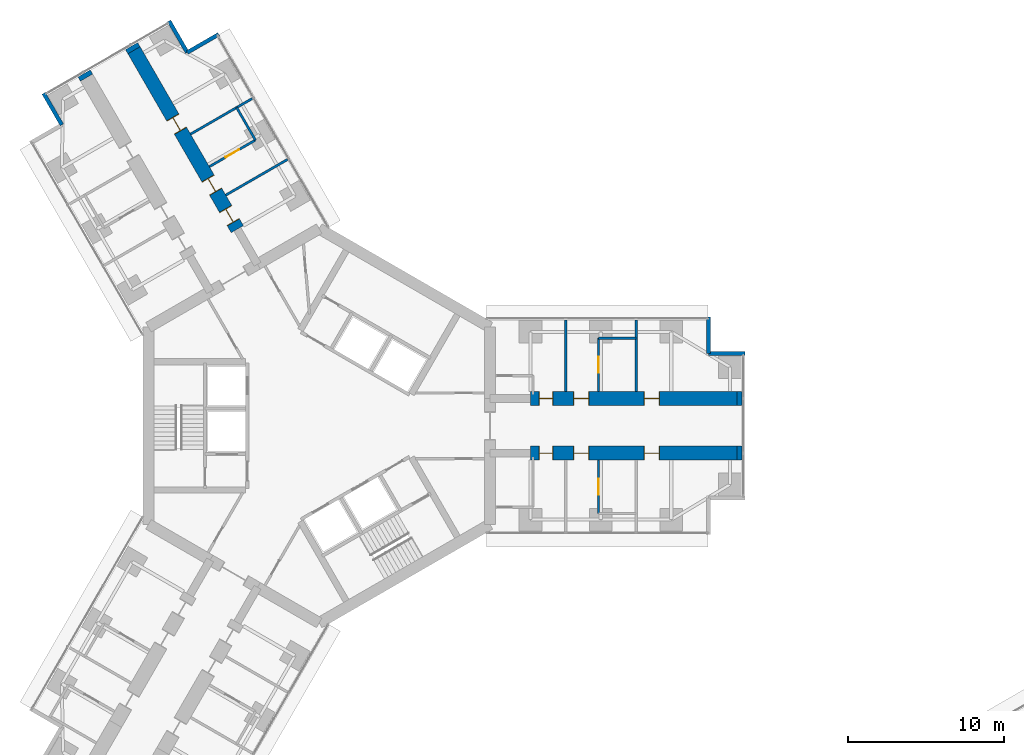
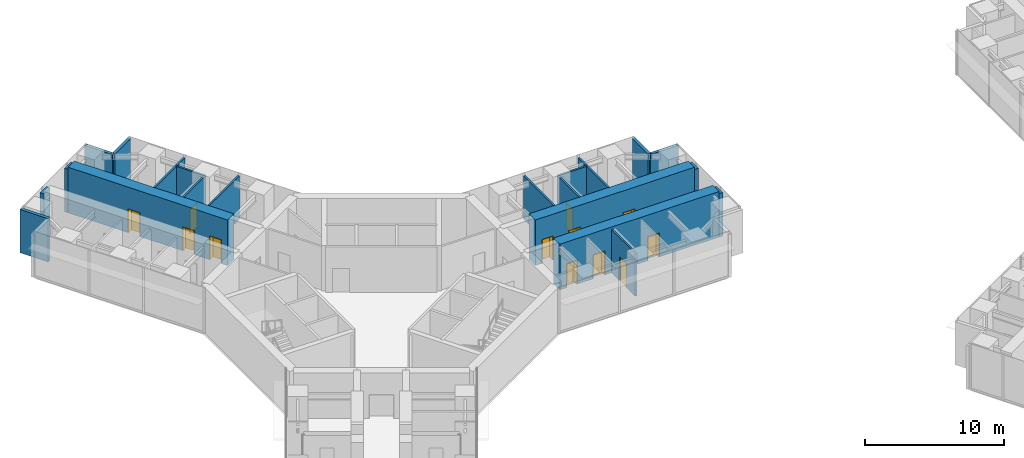
# One storey, part 19 of 24: 21 walls, 12 doors, 12 openings.
"""IFC4 building model written with IfcOpenShell, lengths in metres."""

from ifc_helpers import new_model, si_unit, direction, frame, frame_2d, origin, place, context, subcontext, project, spatial, rectangle, extrude, material, layer, layer_set, type_object, element, fill, save


model = new_model("IFC4")

# Units and contexts
model_context = context("Model", 3, precision=1e-05, world=origin(), true_north=direction((0.0, 1.0)))
body_context = subcontext(model_context, "Body", "Model", "MODEL_VIEW")
ifc_project = project(units=[si_unit("LENGTHUNIT", "METRE"), si_unit("AREAUNIT", "SQUARE_METRE"), si_unit("VOLUMEUNIT", "CUBIC_METRE"), si_unit("PLANEANGLEUNIT", "RADIAN"), si_unit("MASSUNIT", "GRAM", prefix="KILO")], contexts=[model_context])

# Site, building, storey
site_placement = place(None, origin())
site = spatial("IfcSite", under=ifc_project, at=site_placement, CompositionType="ELEMENT")
building_placement = place(site_placement, origin())
building = spatial("IfcBuilding", under=site, at=building_placement, Name="Upepo Twin Towers", CompositionType="ELEMENT")
storey_placement = place(building_placement, frame((0.0, 0.0, 64.5)))
storey = spatial("IfcBuildingStorey", under=building, at=storey_placement, Name="L15", CompositionType="ELEMENT", Elevation=64.5)

# Walls
ifc_material_1 = material(Name="Dense concrete blockwork", Category="masonry")
ifc_layer_1 = layer(ifc_material_1, 0.89990234375)
ifc_layer_set_1 = layer_set([ifc_layer_1], Name="Buttress closer 900, blockwork with fire-stopping to the curtain wall")
wall_type_1 = type_object("IfcWallType", Name="Buttress closer 900, blockwork with fire-stopping to the curtain wall", PredefinedType="PARTITIONING", material=ifc_layer_set_1)
for number, where, z_axis, x_axis, name in (
    (1, (26.699951171875, 1.75, 0.0), (0.0, 0.0, 1.0), (1.0, 0.0, 0.0), "T1 L15 wing A buttress closer L"),
    (2, (26.699951171875, -1.75, 0.0), (0.0, 0.0, 1.0), (1.0, 0.0, 0.0), "T1 L15 wing A buttress closer R"),
    (3, (-14.865478515625, 22.247802734375, 0.0), (0.0, 0.0, 1.0), (-0.499949632511, 0.866054481515, 0.0), "T1 L15 wing B buttress closer L"),
    (4, (-11.83447265625, 23.997802734375, 0.0), (0.0, 0.0, 1.0), (-0.499949632511, 0.866054481515, 0.0), "T1 L15 wing B buttress closer R"),
):
    element("IfcWall", number, at=place(storey_placement, frame(where, z_axis=z_axis, x_axis=x_axis)), inside=storey, type_object=wall_type_1, Name=name, PredefinedType="PARTITIONING", context=body_context, shape_type="SweptSolid", body=[
        extrude(rectangle(XDim=0.31005859375, YDim=0.89990234375, at=frame_2d((0.155029296875, 0.0))), origin(), (0.0, 0.0, 1.0), 3.800048828125),
    ])

# Wall, openings, doors
ifc_material_2 = material(Name="Concrete C60/75", Category="concrete")
ifc_layer_2 = layer(ifc_material_2, 0.89990234375)
ifc_layer_set_2 = layer_set([ifc_layer_2], Name="Concrete C60/75")
wall_type_2 = type_object("IfcWallType", Name="Buttress wall 900 RC", PredefinedType="SHEAR", material=ifc_layer_set_2)
wall_1_placement = place(storey_placement, frame((13.5, 1.75, 0.0), z_axis=(0.0, 0.0, 1.0), x_axis=(1.0, 0.0, 0.0)))
wall_1 = element("IfcWall", 5, at=wall_1_placement, inside=storey, type_object=wall_type_2, Name="T1 wing A buttress wall L part 2", PredefinedType="SHEAR", context=body_context, shape_type="SweptSolid", body=[
    extrude(rectangle(XDim=13.199951171875, YDim=0.89990234375, at=frame_2d((6.60009765625, 0.0))), origin(), (0.0, 0.0, 1.0), 4.0),
])
opening_1_placement = place(wall_1_placement, frame((0.550048828125, 0.0, 0.0)))
opening_1 = element("IfcOpeningElement", 6, at=opening_1_placement, cuts=wall_1, Name="Opening D11", PredefinedType="OPENING", context=body_context, shape_type="SweptSolid", body=[
    extrude(rectangle(XDim=0.89990234375, YDim=2.10009765625, at=frame_2d((0.449951171875, 1.050048828125))), frame((0.0, 0.4599609375, 0.0), z_axis=(0.0, -1.0, 0.0), x_axis=(1.0, 0.0, 0.0)), (0.0, 0.0, 1.0), 0.919921875),
])
opening_2_placement = place(wall_1_placement, frame((2.75, 0.0, 0.0)))
opening_2 = element("IfcOpeningElement", 7, at=opening_2_placement, cuts=wall_1, Name="Opening D1", PredefinedType="OPENING", context=body_context, shape_type="SweptSolid", body=[
    extrude(rectangle(XDim=1.0, YDim=2.10009765625, at=frame_2d((0.5, 1.050048828125))), frame((0.0, 0.4599609375, 0.0), z_axis=(0.0, -1.0, 0.0), x_axis=(1.0, 0.0, 0.0)), (0.0, 0.0, 1.0), 0.919921875),
])
opening_3_placement = place(wall_1_placement, frame((7.25, 0.0, 0.0)))
opening_3 = element("IfcOpeningElement", 8, at=opening_3_placement, cuts=wall_1, Name="Opening D1", PredefinedType="OPENING", context=body_context, shape_type="SweptSolid", body=[
    extrude(rectangle(XDim=1.0, YDim=2.10009765625, at=frame_2d((0.5, 1.050048828125))), frame((0.0, 0.4599609375, 0.0), z_axis=(0.0, -1.0, 0.0), x_axis=(1.0, 0.0, 0.0)), (0.0, 0.0, 1.0), 0.919921875),
])
ifc_material_3 = material(Name="Timber doorset", Category="wood")
door_type_1 = type_object("IfcDoorType", Name="Room door 1000 FD30", OperationType="SINGLE_SWING_LEFT", PredefinedType="DOOR", material=ifc_material_3)
door_1_placement = place(opening_2_placement, origin())
door_1 = element("IfcDoor", 9, at=door_1_placement, inside=storey, type_object=door_type_1, Name="T1 L15 seminar room door", OperationType="SINGLE_SWING_LEFT", OverallHeight=2.10009765625, OverallWidth=1.0, PredefinedType="DOOR", context=body_context, shape_type="SweptSolid", body=[
    extrude(rectangle(XDim=0.92, YDim=2.06009765625, at=frame_2d((0.5, 1.030029296875))), frame((0.0, 0.02490234375, 0.0), z_axis=(0.0, -1.0, 0.0), x_axis=(1.0, 0.0, 0.0)), (0.0, 0.0, 1.0), 0.050048828125),
    extrude(rectangle(XDim=0.04, YDim=2.10009765625, at=frame_2d((0.02001953125, 1.050048828125))), frame((0.0, 0.44970703125, 0.0), z_axis=(0.0, -1.0, 0.0), x_axis=(1.0, 0.0, 0.0)), (0.0, 0.0, 1.0), 0.8994140625),
    extrude(rectangle(XDim=0.04, YDim=2.10009765625, at=frame_2d((0.97998046875, 1.050048828125))), frame((0.0, 0.44970703125, 0.0), z_axis=(0.0, -1.0, 0.0), x_axis=(1.0, 0.0, 0.0)), (0.0, 0.0, 1.0), 0.8994140625),
    extrude(rectangle(XDim=0.92, YDim=0.04, at=frame_2d((0.5, 2.080078125))), frame((0.0, 0.44970703125, 0.0), z_axis=(0.0, -1.0, 0.0), x_axis=(1.0, 0.0, 0.0)), (0.0, 0.0, 1.0), 0.8994140625),
])
fill(opening_2, door_1)
door_2_placement = place(opening_3_placement, origin())
door_2 = element("IfcDoor", 10, at=door_2_placement, inside=storey, type_object=door_type_1, Name="T1 L15 staff office door", OperationType="SINGLE_SWING_RIGHT", OverallHeight=2.10009765625, OverallWidth=1.0, PredefinedType="DOOR", context=body_context, shape_type="SweptSolid", body=[
    extrude(rectangle(XDim=0.92, YDim=2.06009765625, at=frame_2d((0.5, 1.030029296875))), frame((0.0, 0.02490234375, 0.0), z_axis=(0.0, -1.0, 0.0), x_axis=(1.0, 0.0, 0.0)), (0.0, 0.0, 1.0), 0.050048828125),
    extrude(rectangle(XDim=0.04, YDim=2.10009765625, at=frame_2d((0.02001953125, 1.050048828125))), frame((0.0, 0.44970703125, 0.0), z_axis=(0.0, -1.0, 0.0), x_axis=(1.0, 0.0, 0.0)), (0.0, 0.0, 1.0), 0.8994140625),
    extrude(rectangle(XDim=0.04, YDim=2.10009765625, at=frame_2d((0.97998046875, 1.050048828125))), frame((0.0, 0.44970703125, 0.0), z_axis=(0.0, -1.0, 0.0), x_axis=(1.0, 0.0, 0.0)), (0.0, 0.0, 1.0), 0.8994140625),
    extrude(rectangle(XDim=0.92, YDim=0.04, at=frame_2d((0.5, 2.080078125))), frame((0.0, 0.44970703125, 0.0), z_axis=(0.0, -1.0, 0.0), x_axis=(1.0, 0.0, 0.0)), (0.0, 0.0, 1.0), 0.8994140625),
])
fill(opening_3, door_2)
ifc_material_4 = material(Name="Timber doorset", Category="wood")
door_type_2 = type_object("IfcDoorType", Name="Toilet door 900", OperationType="SINGLE_SWING_LEFT", PredefinedType="DOOR", material=ifc_material_4)
door_3_placement = place(opening_1_placement, origin())
door_3 = element("IfcDoor", 11, at=door_3_placement, inside=storey, type_object=door_type_2, Name="T1 L15 toilets door", OperationType="SINGLE_SWING_LEFT", OverallHeight=2.10009765625, OverallWidth=0.89990234375, PredefinedType="DOOR", context=body_context, shape_type="SweptSolid", body=[
    extrude(rectangle(XDim=0.81990234375, YDim=2.06009765625, at=frame_2d((0.449951171875, 1.030029296875))), frame((0.0, 0.02490234375, 0.0), z_axis=(0.0, -1.0, 0.0), x_axis=(1.0, 0.0, 0.0)), (0.0, 0.0, 1.0), 0.050048828125),
    extrude(rectangle(XDim=0.04, YDim=2.10009765625, at=frame_2d((0.02001953125, 1.050048828125))), frame((0.0, 0.44970703125, 0.0), z_axis=(0.0, -1.0, 0.0), x_axis=(1.0, 0.0, 0.0)), (0.0, 0.0, 1.0), 0.8994140625),
    extrude(rectangle(XDim=0.04, YDim=2.10009765625, at=frame_2d((0.8798828125, 1.050048828125))), frame((0.0, 0.44970703125, 0.0), z_axis=(0.0, -1.0, 0.0), x_axis=(1.0, 0.0, 0.0)), (0.0, 0.0, 1.0), 0.8994140625),
    extrude(rectangle(XDim=0.81990234375, YDim=0.04, at=frame_2d((0.449951171875, 2.080078125))), frame((0.0, 0.44970703125, 0.0), z_axis=(0.0, -1.0, 0.0), x_axis=(1.0, 0.0, 0.0)), (0.0, 0.0, 1.0), 0.8994140625),
])
fill(opening_1, door_3)

wall_2_placement = place(storey_placement, frame((13.5, -1.75, 0.0), z_axis=(0.0, 0.0, 1.0), x_axis=(1.0, 0.0, 0.0)))
wall_2 = element("IfcWall", 12, at=wall_2_placement, inside=storey, type_object=wall_type_2, Name="T1 wing A buttress wall R part 2", PredefinedType="SHEAR", context=body_context, shape_type="SweptSolid", body=[
    extrude(rectangle(XDim=13.199951171875, YDim=0.89990234375, at=frame_2d((6.60009765625, 0.0))), origin(), (0.0, 0.0, 1.0), 4.0),
])
opening_4_placement = place(wall_2_placement, frame((0.550048828125, 0.0, 0.0)))
opening_4 = element("IfcOpeningElement", 13, at=opening_4_placement, cuts=wall_2, Name="Opening D11", PredefinedType="OPENING", context=body_context, shape_type="SweptSolid", body=[
    extrude(rectangle(XDim=0.89990234375, YDim=2.10009765625, at=frame_2d((0.449951171875, 1.050048828125))), frame((0.0, 0.4599609375, 0.0), z_axis=(0.0, -1.0, 0.0), x_axis=(1.0, 0.0, 0.0)), (0.0, 0.0, 1.0), 0.919921875),
])
opening_5_placement = place(wall_2_placement, frame((2.75, 0.0, 0.0)))
opening_5 = element("IfcOpeningElement", 14, at=opening_5_placement, cuts=wall_2, Name="Opening D1", PredefinedType="OPENING", context=body_context, shape_type="SweptSolid", body=[
    extrude(rectangle(XDim=1.0, YDim=2.10009765625, at=frame_2d((0.5, 1.050048828125))), frame((0.0, 0.4599609375, 0.0), z_axis=(0.0, -1.0, 0.0), x_axis=(1.0, 0.0, 0.0)), (0.0, 0.0, 1.0), 0.919921875),
])
opening_6_placement = place(wall_2_placement, frame((7.25, 0.0, 0.0)))
opening_6 = element("IfcOpeningElement", 15, at=opening_6_placement, cuts=wall_2, Name="Opening D1", PredefinedType="OPENING", context=body_context, shape_type="SweptSolid", body=[
    extrude(rectangle(XDim=1.0, YDim=2.10009765625, at=frame_2d((0.5, 1.050048828125))), frame((0.0, 0.4599609375, 0.0), z_axis=(0.0, -1.0, 0.0), x_axis=(1.0, 0.0, 0.0)), (0.0, 0.0, 1.0), 0.919921875),
])
door_4_placement = place(opening_5_placement, origin())
door_4 = element("IfcDoor", 16, at=door_4_placement, inside=storey, type_object=door_type_1, Name="T1 L15 tutorial room door", OperationType="SINGLE_SWING_LEFT", OverallHeight=2.10009765625, OverallWidth=1.0, PredefinedType="DOOR", context=body_context, shape_type="SweptSolid", body=[
    extrude(rectangle(XDim=0.92, YDim=2.06009765625, at=frame_2d((0.5, 1.030029296875))), frame((0.0, 0.02490234375, 0.0), z_axis=(0.0, -1.0, 0.0), x_axis=(1.0, 0.0, 0.0)), (0.0, 0.0, 1.0), 0.050048828125),
    extrude(rectangle(XDim=0.04, YDim=2.10009765625, at=frame_2d((0.02001953125, 1.050048828125))), frame((0.0, 0.44970703125, 0.0), z_axis=(0.0, -1.0, 0.0), x_axis=(1.0, 0.0, 0.0)), (0.0, 0.0, 1.0), 0.8994140625),
    extrude(rectangle(XDim=0.04, YDim=2.10009765625, at=frame_2d((0.97998046875, 1.050048828125))), frame((0.0, 0.44970703125, 0.0), z_axis=(0.0, -1.0, 0.0), x_axis=(1.0, 0.0, 0.0)), (0.0, 0.0, 1.0), 0.8994140625),
    extrude(rectangle(XDim=0.92, YDim=0.04, at=frame_2d((0.5, 2.080078125))), frame((0.0, 0.44970703125, 0.0), z_axis=(0.0, -1.0, 0.0), x_axis=(1.0, 0.0, 0.0)), (0.0, 0.0, 1.0), 0.8994140625),
])
fill(opening_5, door_4)
door_5_placement = place(opening_6_placement, origin())
door_5 = element("IfcDoor", 17, at=door_5_placement, inside=storey, type_object=door_type_1, Name="T1 L15 computing laboratory door", OperationType="SINGLE_SWING_RIGHT", OverallHeight=2.10009765625, OverallWidth=1.0, PredefinedType="DOOR", context=body_context, shape_type="SweptSolid", body=[
    extrude(rectangle(XDim=0.92, YDim=2.06009765625, at=frame_2d((0.5, 1.030029296875))), frame((0.0, 0.02490234375, 0.0), z_axis=(0.0, -1.0, 0.0), x_axis=(1.0, 0.0, 0.0)), (0.0, 0.0, 1.0), 0.050048828125),
    extrude(rectangle(XDim=0.04, YDim=2.10009765625, at=frame_2d((0.02001953125, 1.050048828125))), frame((0.0, 0.44970703125, 0.0), z_axis=(0.0, -1.0, 0.0), x_axis=(1.0, 0.0, 0.0)), (0.0, 0.0, 1.0), 0.8994140625),
    extrude(rectangle(XDim=0.04, YDim=2.10009765625, at=frame_2d((0.97998046875, 1.050048828125))), frame((0.0, 0.44970703125, 0.0), z_axis=(0.0, -1.0, 0.0), x_axis=(1.0, 0.0, 0.0)), (0.0, 0.0, 1.0), 0.8994140625),
    extrude(rectangle(XDim=0.92, YDim=0.04, at=frame_2d((0.5, 2.080078125))), frame((0.0, 0.44970703125, 0.0), z_axis=(0.0, -1.0, 0.0), x_axis=(1.0, 0.0, 0.0)), (0.0, 0.0, 1.0), 0.8994140625),
])
fill(opening_6, door_5)
door_6_placement = place(opening_4_placement, origin())
door_6 = element("IfcDoor", 18, at=door_6_placement, inside=storey, type_object=door_type_2, Name="T1 L15 accessible wc door", OperationType="SINGLE_SWING_LEFT", OverallHeight=2.10009765625, OverallWidth=0.89990234375, PredefinedType="DOOR", context=body_context, shape_type="SweptSolid", body=[
    extrude(rectangle(XDim=0.81990234375, YDim=2.06009765625, at=frame_2d((0.449951171875, 1.030029296875))), frame((0.0, 0.02490234375, 0.0), z_axis=(0.0, -1.0, 0.0), x_axis=(1.0, 0.0, 0.0)), (0.0, 0.0, 1.0), 0.050048828125),
    extrude(rectangle(XDim=0.04, YDim=2.10009765625, at=frame_2d((0.02001953125, 1.050048828125))), frame((0.0, 0.44970703125, 0.0), z_axis=(0.0, -1.0, 0.0), x_axis=(1.0, 0.0, 0.0)), (0.0, 0.0, 1.0), 0.8994140625),
    extrude(rectangle(XDim=0.04, YDim=2.10009765625, at=frame_2d((0.8798828125, 1.050048828125))), frame((0.0, 0.44970703125, 0.0), z_axis=(0.0, -1.0, 0.0), x_axis=(1.0, 0.0, 0.0)), (0.0, 0.0, 1.0), 0.8994140625),
    extrude(rectangle(XDim=0.81990234375, YDim=0.04, at=frame_2d((0.449951171875, 2.080078125))), frame((0.0, 0.44970703125, 0.0), z_axis=(0.0, -1.0, 0.0), x_axis=(1.0, 0.0, 0.0)), (0.0, 0.0, 1.0), 0.8994140625),
])
fill(opening_4, door_6)

wall_3_placement = place(storey_placement, frame((-5.234375, 12.56640625, 0.0), z_axis=(0.0, 0.0, 1.0), x_axis=(-0.500010103361, 0.866019570528, 0.0)))
wall_3 = element("IfcWall", 19, at=wall_3_placement, inside=storey, type_object=wall_type_2, Name="T1 wing B buttress wall R part 2", PredefinedType="SHEAR", context=body_context, shape_type="SweptSolid", body=[
    extrude(rectangle(XDim=13.199951171875, YDim=0.89990234375, at=frame_2d((6.60009765625, 0.0))), origin(), (0.0, 0.0, 1.0), 4.0),
])
opening_7_placement = place(wall_3_placement, frame((0.5, 0.0, 0.0)))
opening_7 = element("IfcOpeningElement", 20, at=opening_7_placement, cuts=wall_3, Name="Opening D1", PredefinedType="OPENING", context=body_context, shape_type="SweptSolid", body=[
    extrude(rectangle(XDim=1.0, YDim=2.10009765625, at=frame_2d((0.5, 1.050048828125))), frame((0.0, 0.4599609375, 0.0), z_axis=(0.0, -1.0, 0.0), x_axis=(1.0, 0.0, 0.0)), (0.0, 0.0, 1.0), 0.919921875),
])
opening_8_placement = place(wall_3_placement, frame((2.75, 0.0, 0.0)))
opening_8 = element("IfcOpeningElement", 21, at=opening_8_placement, cuts=wall_3, Name="Opening D1", PredefinedType="OPENING", context=body_context, shape_type="SweptSolid", body=[
    extrude(rectangle(XDim=1.0, YDim=2.10009765625, at=frame_2d((0.5, 1.050048828125))), frame((0.0, 0.4599609375, 0.0), z_axis=(0.0, -1.0, 0.0), x_axis=(1.0, 0.0, 0.0)), (0.0, 0.0, 1.0), 0.919921875),
])
opening_9_placement = place(wall_3_placement, frame((7.25, 0.0, 0.0)))
opening_9 = element("IfcOpeningElement", 22, at=opening_9_placement, cuts=wall_3, Name="Opening D1", PredefinedType="OPENING", context=body_context, shape_type="SweptSolid", body=[
    extrude(rectangle(XDim=1.0, YDim=2.10009765625, at=frame_2d((0.5, 1.050048828125))), frame((0.0, 0.4599609375, 0.0), z_axis=(0.0, -1.0, 0.0), x_axis=(1.0, 0.0, 0.0)), (0.0, 0.0, 1.0), 0.919921875),
])
door_7_placement = place(opening_7_placement, origin())
door_7 = element("IfcDoor", 23, at=door_7_placement, inside=storey, type_object=door_type_1, Name="T1 L15 computing laboratory door", OperationType="SINGLE_SWING_LEFT", OverallHeight=2.10009765625, OverallWidth=1.0, PredefinedType="DOOR", context=body_context, shape_type="SweptSolid", body=[
    extrude(rectangle(XDim=0.92, YDim=2.06009765625, at=frame_2d((0.5, 1.030029296875))), frame((0.0, 0.02490234375, 0.0), z_axis=(0.0, -1.0, 0.0), x_axis=(1.0, 0.0, 0.0)), (0.0, 0.0, 1.0), 0.050048828125),
    extrude(rectangle(XDim=0.04, YDim=2.10009765625, at=frame_2d((0.02001953125, 1.050048828125))), frame((0.0, 0.44970703125, 0.0), z_axis=(0.0, -1.0, 0.0), x_axis=(1.0, 0.0, 0.0)), (0.0, 0.0, 1.0), 0.8994140625),
    extrude(rectangle(XDim=0.04, YDim=2.10009765625, at=frame_2d((0.97998046875, 1.050048828125))), frame((0.0, 0.44970703125, 0.0), z_axis=(0.0, -1.0, 0.0), x_axis=(1.0, 0.0, 0.0)), (0.0, 0.0, 1.0), 0.8994140625),
    extrude(rectangle(XDim=0.92, YDim=0.04, at=frame_2d((0.5, 2.080078125))), frame((0.0, 0.44970703125, 0.0), z_axis=(0.0, -1.0, 0.0), x_axis=(1.0, 0.0, 0.0)), (0.0, 0.0, 1.0), 0.8994140625),
])
fill(opening_7, door_7)
door_8_placement = place(opening_8_placement, origin())
door_8 = element("IfcDoor", 24, at=door_8_placement, inside=storey, type_object=door_type_1, Name="T1 L15 seminar room door", OperationType="SINGLE_SWING_LEFT", OverallHeight=2.10009765625, OverallWidth=1.0, PredefinedType="DOOR", context=body_context, shape_type="SweptSolid", body=[
    extrude(rectangle(XDim=0.92, YDim=2.06009765625, at=frame_2d((0.5, 1.030029296875))), frame((0.0, 0.02490234375, 0.0), z_axis=(0.0, -1.0, 0.0), x_axis=(1.0, 0.0, 0.0)), (0.0, 0.0, 1.0), 0.050048828125),
    extrude(rectangle(XDim=0.04, YDim=2.10009765625, at=frame_2d((0.02001953125, 1.050048828125))), frame((0.0, 0.44970703125, 0.0), z_axis=(0.0, -1.0, 0.0), x_axis=(1.0, 0.0, 0.0)), (0.0, 0.0, 1.0), 0.8994140625),
    extrude(rectangle(XDim=0.04, YDim=2.10009765625, at=frame_2d((0.97998046875, 1.050048828125))), frame((0.0, 0.44970703125, 0.0), z_axis=(0.0, -1.0, 0.0), x_axis=(1.0, 0.0, 0.0)), (0.0, 0.0, 1.0), 0.8994140625),
    extrude(rectangle(XDim=0.92, YDim=0.04, at=frame_2d((0.5, 2.080078125))), frame((0.0, 0.44970703125, 0.0), z_axis=(0.0, -1.0, 0.0), x_axis=(1.0, 0.0, 0.0)), (0.0, 0.0, 1.0), 0.8994140625),
])
fill(opening_8, door_8)
door_9_placement = place(opening_9_placement, origin())
door_9 = element("IfcDoor", 25, at=door_9_placement, inside=storey, type_object=door_type_1, Name="T1 L15 staff office door", OperationType="SINGLE_SWING_RIGHT", OverallHeight=2.10009765625, OverallWidth=1.0, PredefinedType="DOOR", context=body_context, shape_type="SweptSolid", body=[
    extrude(rectangle(XDim=0.92, YDim=2.06009765625, at=frame_2d((0.5, 1.030029296875))), frame((0.0, 0.02490234375, 0.0), z_axis=(0.0, -1.0, 0.0), x_axis=(1.0, 0.0, 0.0)), (0.0, 0.0, 1.0), 0.050048828125),
    extrude(rectangle(XDim=0.04, YDim=2.10009765625, at=frame_2d((0.02001953125, 1.050048828125))), frame((0.0, 0.44970703125, 0.0), z_axis=(0.0, -1.0, 0.0), x_axis=(1.0, 0.0, 0.0)), (0.0, 0.0, 1.0), 0.8994140625),
    extrude(rectangle(XDim=0.04, YDim=2.10009765625, at=frame_2d((0.97998046875, 1.050048828125))), frame((0.0, 0.44970703125, 0.0), z_axis=(0.0, -1.0, 0.0), x_axis=(1.0, 0.0, 0.0)), (0.0, 0.0, 1.0), 0.8994140625),
    extrude(rectangle(XDim=0.92, YDim=0.04, at=frame_2d((0.5, 2.080078125))), frame((0.0, 0.44970703125, 0.0), z_axis=(0.0, -1.0, 0.0), x_axis=(1.0, 0.0, 0.0)), (0.0, 0.0, 1.0), 0.8994140625),
])
fill(opening_9, door_9)

# Walls
ifc_material_5 = material(Name="Blockwork with anodised aluminium cladding", Category="masonry")
ifc_layer_3 = layer(ifc_material_5, 0.25)
ifc_layer_set_3 = layer_set([ifc_layer_3], Name="Notch cladding wall 250, pale metal")
wall_type_3 = type_object("IfcWallType", Name="Notch cladding wall 250, pale metal", PredefinedType="STANDARD", material=ifc_layer_set_3)
for number, where, z_axis, x_axis, name in (
    (26, (24.875, 6.949951171875, 0.0), (0.0, 0.0, 1.0), (0.0, -1.0, 0.0), "T1 L15 wing A notch wall L1"),
    (27, (24.875, 4.625, 0.0), (0.0, 0.0, 1.0), (1.0, 0.0, 0.0), "T1 L15 wing A notch wall L2"),
    (28, (-16.44287109375, 19.22998046875, 0.0), (0.0, 0.0, 1.0), (-0.500046648681, 0.865998469481, 0.0), "T1 L15 wing B notch wall L2"),
    (29, (-6.418701171875, 25.017333984375, 0.0), (0.0, 0.0, 1.0), (-0.866043940782, -0.499967891604, 0.0), "T1 L15 wing B notch wall R1"),
    (30, (-8.43212890625, 23.85498046875, 0.0), (0.0, 0.0, 1.0), (-0.500046648681, 0.865998469481, 0.0), "T1 L15 wing B notch wall R2"),
):
    element("IfcWall", number, at=place(storey_placement, frame(where, z_axis=z_axis, x_axis=x_axis)), inside=storey, type_object=wall_type_3, Name=name, PredefinedType="STANDARD", context=body_context, shape_type="SweptSolid", body=[
        extrude(rectangle(XDim=2.324951171875, YDim=0.25, at=frame_2d((1.16259765625, 0.0))), origin(), (0.0, 0.0, 1.0), 3.800048828125),
    ])
ifc_material_6 = material(Name="Gypsum board on steel studs", Category="steel")
ifc_layer_4 = layer(ifc_material_6, 0.14990234375)
ifc_layer_set_4 = layer_set([ifc_layer_4], Name="Teaching partition 150 acoustic")
wall_type_4 = type_object("IfcWallType", Name="Teaching partition 150 acoustic", PredefinedType="PARTITIONING", material=ifc_layer_set_4)
for number, where, z_axis, x_axis, name in (
    (31, (15.75, 2.199951171875, 0.0), (0.0, 0.0, 1.0), (0.0, 1.0, 0.0), "T1 partition AL at 15.75"),
    (32, (20.25, 2.199951171875, 0.0), (0.0, 0.0, 1.0), (0.0, 1.0, 0.0), "T1 partition AL at 20.25"),
):
    element("IfcWall", number, at=place(storey_placement, frame(where, z_axis=z_axis, x_axis=x_axis)), inside=storey, type_object=wall_type_4, Name=name, PredefinedType="PARTITIONING", context=body_context, shape_type="SweptSolid", body=[
        extrude(rectangle(XDim=4.550048828125, YDim=0.14990234375, at=frame_2d((2.27490234375, 0.0))), origin(), (0.0, 0.0, 1.0), 3.800048828125),
    ])
wall_4_placement = place(storey_placement, frame((17.85009765625, 5.60009765625, 0.0), z_axis=(0.0, 0.0, 1.0), x_axis=(1.0, 0.0, 0.0)))
element("IfcWall", 33, at=wall_4_placement, inside=storey, type_object=wall_type_4, Name="T1 inner room partition AL at 17.85", PredefinedType="PARTITIONING", context=body_context, shape_type="SweptSolid", body=[
    extrude(rectangle(XDim=2.39990234375, YDim=0.14990234375, at=frame_2d((1.199951171875, 0.0))), origin(), (0.0, 0.0, 1.0), 3.800048828125),
])

# Wall, opening, door
wall_5_placement = place(storey_placement, frame((17.85009765625, 2.199951171875, 0.0), z_axis=(0.0, 0.0, 1.0), x_axis=(0.0, 1.0, 0.0)))
wall_5 = element("IfcWall", 34, at=wall_5_placement, inside=storey, type_object=wall_type_4, Name="T1 inner room partition AL end at 17.85", PredefinedType="PARTITIONING", context=body_context, shape_type="SweptSolid", body=[
    extrude(rectangle(XDim=3.400146484375, YDim=0.14990234375, at=frame_2d((1.7001953125, 0.0))), origin(), (0.0, 0.0, 1.0), 3.800048828125),
])
opening_10_placement = place(wall_5_placement, frame((1.199951171875, 0.0, 0.0)))
opening_10 = element("IfcOpeningElement", 35, at=opening_10_placement, cuts=wall_5, Name="Opening D1", PredefinedType="OPENING", context=body_context, shape_type="SweptSolid", body=[
    extrude(rectangle(XDim=1.0, YDim=2.10009765625, at=frame_2d((0.5, 1.050048828125))), frame((0.0, 0.0849609375, 0.0), z_axis=(0.0, -1.0, 0.0), x_axis=(1.0, 0.0, 0.0)), (0.0, 0.0, 1.0), 0.169921875),
])
door_10_placement = place(opening_10_placement, origin())
door_10 = element("IfcDoor", 36, at=door_10_placement, inside=storey, type_object=door_type_1, Name="T1 L15 inner room door", OperationType="SINGLE_SWING_LEFT", OverallHeight=2.10009765625, OverallWidth=1.0, PredefinedType="DOOR", context=body_context, shape_type="SweptSolid", body=[
    extrude(rectangle(XDim=1.0, YDim=2.10009765625, at=frame_2d((0.5, 1.050048828125))), frame((0.0, 0.02490234375, 0.0), z_axis=(0.0, -1.0, 0.0), x_axis=(1.0, 0.0, 0.0)), (0.0, 0.0, 1.0), 0.050048828125),
])
fill(opening_10, door_10)

wall_6_placement = place(storey_placement, frame((17.85009765625, -2.199951171875, 0.0), z_axis=(0.0, 0.0, 1.0), x_axis=(0.0, -1.0, 0.0)))
wall_6 = element("IfcWall", 37, at=wall_6_placement, inside=storey, type_object=wall_type_4, Name="T1 inner room partition AR end at 17.85", PredefinedType="PARTITIONING", context=body_context, shape_type="SweptSolid", body=[
    extrude(rectangle(XDim=3.400146484375, YDim=0.14990234375, at=frame_2d((1.7001953125, 0.0))), origin(), (0.0, 0.0, 1.0), 3.800048828125),
])
opening_11_placement = place(wall_6_placement, frame((1.199951171875, 0.0, 0.0)))
opening_11 = element("IfcOpeningElement", 38, at=opening_11_placement, cuts=wall_6, Name="Opening D1", PredefinedType="OPENING", context=body_context, shape_type="SweptSolid", body=[
    extrude(rectangle(XDim=1.0, YDim=2.10009765625, at=frame_2d((0.5, 1.050048828125))), frame((0.0, 0.0849609375, 0.0), z_axis=(0.0, -1.0, 0.0), x_axis=(1.0, 0.0, 0.0)), (0.0, 0.0, 1.0), 0.169921875),
])
door_11_placement = place(opening_11_placement, origin())
door_11 = element("IfcDoor", 39, at=door_11_placement, inside=storey, type_object=door_type_1, Name="T1 L15 inner room door", OperationType="SINGLE_SWING_LEFT", OverallHeight=2.10009765625, OverallWidth=1.0, PredefinedType="DOOR", context=body_context, shape_type="SweptSolid", body=[
    extrude(rectangle(XDim=1.0, YDim=2.10009765625, at=frame_2d((0.5, 1.050048828125))), frame((0.0, 0.02490234375, 0.0), z_axis=(0.0, -1.0, 0.0), x_axis=(1.0, 0.0, 0.0)), (0.0, 0.0, 1.0), 0.050048828125),
])
fill(opening_11, door_11)

# Walls
for number, where, z_axis, x_axis, name in (
    (40, (-5.9697265625, 14.739990234375, 0.0), (0.0, 0.0, 1.0), (0.866035472144, 0.499982560684, 0.0), "T1 partition BR at 15.75"),
    (41, (-8.2197265625, 18.636962890625, 0.0), (0.0, 0.0, 1.0), (0.866012237902, 0.500022803284, 0.0), "T1 partition BR at 20.25"),
):
    element("IfcWall", number, at=place(storey_placement, frame(where, z_axis=z_axis, x_axis=x_axis)), inside=storey, type_object=wall_type_4, Name=name, PredefinedType="PARTITIONING", context=body_context, shape_type="SweptSolid", body=[
        extrude(rectangle(XDim=4.550048828125, YDim=0.14990234375, at=frame_2d((2.27490234375, 0.0))), origin(), (0.0, 0.0, 1.0), 3.800048828125),
    ])
wall_7_placement = place(storey_placement, frame((-4.0751953125, 18.258544921875, 0.0), z_axis=(0.0, 0.0, 1.0), x_axis=(-0.500001309137, 0.866024647952, 0.0)))
element("IfcWall", 42, at=wall_7_placement, inside=storey, type_object=wall_type_4, Name="T1 inner room partition BR at 17.85", PredefinedType="PARTITIONING", context=body_context, shape_type="SweptSolid", body=[
    extrude(rectangle(XDim=2.39990234375, YDim=0.14990234375, at=frame_2d((1.199951171875, 0.0))), origin(), (0.0, 0.0, 1.0), 3.800048828125),
])

# Wall, opening, door
wall_8_placement = place(storey_placement, frame((-7.019775390625, 16.55859375, 0.0), z_axis=(0.0, 0.0, 1.0), x_axis=(0.866038511948, 0.499977295307, 0.0)))
wall_8 = element("IfcWall", 43, at=wall_8_placement, inside=storey, type_object=wall_type_4, Name="T1 inner room partition BR end at 17.85", PredefinedType="PARTITIONING", context=body_context, shape_type="SweptSolid", body=[
    extrude(rectangle(XDim=3.400146484375, YDim=0.14990234375, at=frame_2d((1.7001953125, 0.0))), origin(), (0.0, 0.0, 1.0), 3.800048828125),
])
opening_12_placement = place(wall_8_placement, frame((1.199951171875, 0.0, 0.0)))
opening_12 = element("IfcOpeningElement", 44, at=opening_12_placement, cuts=wall_8, Name="Opening D1", PredefinedType="OPENING", context=body_context, shape_type="SweptSolid", body=[
    extrude(rectangle(XDim=1.0, YDim=2.10009765625, at=frame_2d((0.5, 1.050048828125))), frame((0.0, 0.0849609375, 0.0), z_axis=(0.0, -1.0, 0.0), x_axis=(1.0, 0.0, 0.0)), (0.0, 0.0, 1.0), 0.169921875),
])
door_12_placement = place(opening_12_placement, origin())
door_12 = element("IfcDoor", 45, at=door_12_placement, inside=storey, type_object=door_type_1, Name="T1 L15 inner room door", OperationType="SINGLE_SWING_LEFT", OverallHeight=2.10009765625, OverallWidth=1.0, PredefinedType="DOOR", context=body_context, shape_type="SweptSolid", body=[
    extrude(rectangle(XDim=1.0, YDim=2.10009765625, at=frame_2d((0.5, 1.050048828125))), frame((0.0, 0.02490234375, 0.0), z_axis=(0.0, -1.0, 0.0), x_axis=(1.0, 0.0, 0.0)), (0.0, 0.0, 1.0), 0.050048828125),
])
fill(opening_12, door_12)

save(model, "model.ifc")
